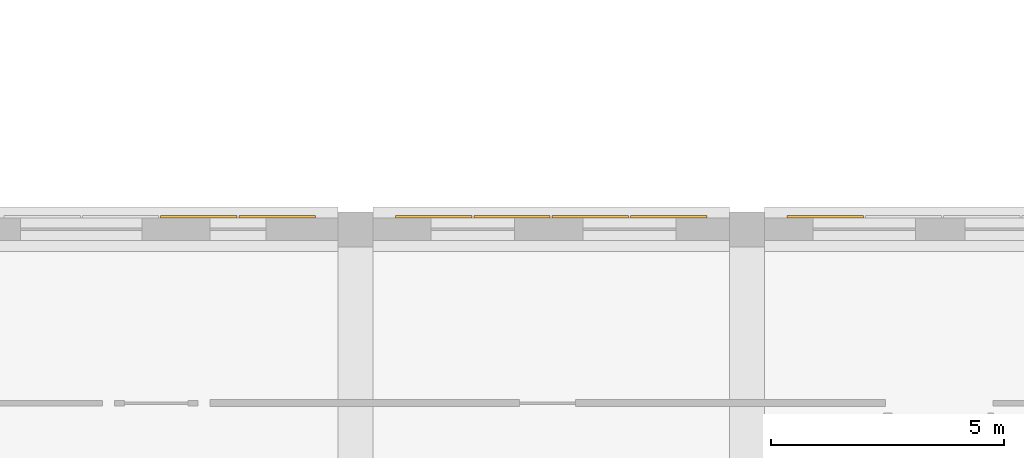
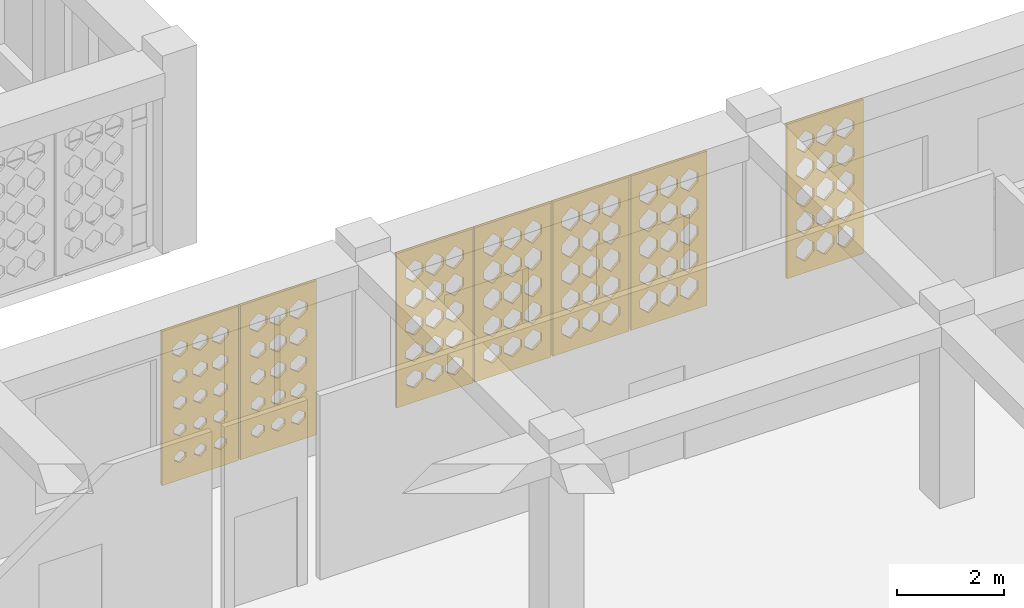
# One storey, part 98 of 121: 7 coverings.
"""IFC4 building model written with IfcOpenShell, lengths in metres."""

import ifcopenshell
import ifcopenshell.guid

model = None  # the IFC model being written
_history = None  # IfcOwnerHistory: only IFC2X3 demands one
_inside = {}  # id of a spatial element -> (the spatial element, [elements in it])
_under = {}  # id of a project, library or spatial element -> (it, [spatial elements below it])
_declared = {}  # id of a project -> (the project, [libraries it declares])
_typed = {}  # id of a type object -> (the type object, [elements of that type])
_made_of = {}  # id of a material, layer set ... -> (it, [elements and type objects made of it])


def new_model(schema):
    """Start an empty IFC model of exactly this schema.

    Asked for "IFC4X3", IfcOpenShell would pick the latest addendum, in which some entities
    have other attributes; the version numbers below select the first issue.
    IFC2X3 requires an IfcOwnerHistory on every rooted entity: one is made here for all.
    """
    global model, _history
    if schema == "IFC4X3":
        model = ifcopenshell.file(schema_version=(4, 3, 0, 0))
    else:
        model = ifcopenshell.file(schema=schema)
    _inside.clear()
    _under.clear()
    _declared.clear()
    _typed.clear()
    _made_of.clear()
    _history = None
    if model.schema == "IFC2X3":
        org = make("IfcOrganization", Name="unknown")
        user = make(
            "IfcPersonAndOrganization",
            ThePerson=make("IfcPerson", FamilyName="unknown"),
            TheOrganization=org,
        )
        app = make(
            "IfcApplication",
            ApplicationDeveloper=org,
            Version="unknown",
            ApplicationFullName="unknown",
            ApplicationIdentifier="unknown",
        )
        _history = make(
            "IfcOwnerHistory",
            OwningUser=user,
            OwningApplication=app,
            ChangeAction="ADDED",
            CreationDate=0,
        )
    return model


def make(cls, **values):
    """One entity of the class cls with the attributes given. An attribute that is None is left unset."""
    return model.create_entity(
        cls, **{name: value for name, value in values.items() if value is not None}
    )


def rooted(cls, **values):
    """An entity with a GlobalId (a new one), such as an element, a storey or a relation."""
    return make(cls, GlobalId=ifcopenshell.guid.new(), OwnerHistory=_history, **values)


def si_unit(unit_type, name, prefix=None):
    """IfcSIUnit, for example si_unit("LENGTHUNIT", "METRE", prefix="MILLI")."""
    return make("IfcSIUnit", UnitType=unit_type, Prefix=prefix, Name=name)


def derived_unit(unit_type, elements):
    """IfcDerivedUnit: a product of units, each with its exponent."""
    return make(
        "IfcDerivedUnit",
        Elements=[
            make("IfcDerivedUnitElement", Unit=unit, Exponent=power)
            for unit, power in elements
        ],
        UnitType=unit_type,
    )


def assignment(units):
    """IfcUnitAssignment: the units of a project."""
    return None if units is None else make("IfcUnitAssignment", Units=units)


def point(xyz):
    """IfcCartesianPoint."""
    return None if xyz is None else make("IfcCartesianPoint", Coordinates=xyz)


def direction(xyz):
    """IfcDirection."""
    return None if xyz is None else make("IfcDirection", DirectionRatios=xyz)


def frame(location, z_axis=None, x_axis=None):
    """IfcAxis2Placement3D, a coordinate frame: its origin and axes. An axis left out is left unset."""
    return make(
        "IfcAxis2Placement3D",
        Location=point(location),
        Axis=direction(z_axis),
        RefDirection=direction(x_axis),
    )


def origin():
    """The frame at (0, 0, 0) with its axes left unset."""
    return frame((0.0, 0.0, 0.0))


def place(relative_to, where):
    """IfcLocalPlacement: puts the frame where relative to a parent placement (None: the world)."""
    return make(
        "IfcLocalPlacement", PlacementRelTo=relative_to, RelativePlacement=where
    )


def context(
    kind, dimensions, precision=None, world=None, true_north=None, identifier=None
):
    """IfcGeometricRepresentationContext, for example the 3D "Model" context."""
    return make(
        "IfcGeometricRepresentationContext",
        ContextIdentifier=identifier,
        ContextType=kind,
        CoordinateSpaceDimension=dimensions,
        Precision=precision,
        WorldCoordinateSystem=world,
        TrueNorth=true_north,
    )


def subcontext(parent, identifier, kind, view, scale=None):
    """IfcGeometricRepresentationSubContext, for example "Body" below "Model"."""
    return make(
        "IfcGeometricRepresentationSubContext",
        ContextIdentifier=identifier,
        ContextType=kind,
        ParentContext=parent,
        TargetScale=scale,
        TargetView=view,
    )


def project(units=None, contexts=None):
    """IfcProject with its units and contexts."""
    return rooted(
        "IfcProject",
        Name="project",
        RepresentationContexts=contexts,
        UnitsInContext=assignment(units),
    )


def spatial(cls, under=None, at=None, **own):
    """A site, building, storey or space (cls), placed at a placement, below another one or the project."""
    s = rooted(cls, ObjectPlacement=at, **own)
    if under is not None:
        _under.setdefault(under.id(), (under, []))[1].append(s)
    return s


def polyline(points):
    """IfcPolyline through the points."""
    return make("IfcPolyline", Points=[point(p) for p in points])


def outline(outer, holes=None, kind="AREA"):
    """IfcArbitraryClosedProfileDef: a profile drawn as a closed curve; with holes, ...WithVoids."""
    if holes is None:
        return make("IfcArbitraryClosedProfileDef", ProfileType=kind, OuterCurve=outer)
    return make(
        "IfcArbitraryProfileDefWithVoids",
        ProfileType=kind,
        OuterCurve=outer,
        InnerCurves=holes,
    )


def extrude(swept, where, along, depth):
    """IfcExtrudedAreaSolid: the profile swept, set in the frame where, extruded along a direction by depth."""
    return make(
        "IfcExtrudedAreaSolid",
        SweptArea=swept,
        Position=where,
        ExtrudedDirection=direction(along),
        Depth=depth,
    )


def shape(context_of_items, identifier, shape_type, items):
    """IfcShapeRepresentation: the items that make up one representation, for example the "Body"."""
    return make(
        "IfcShapeRepresentation",
        ContextOfItems=context_of_items,
        RepresentationIdentifier=identifier,
        RepresentationType=shape_type,
        Items=items,
    )


def material(Name=None, Category=None):
    """IfcMaterial."""
    return make("IfcMaterial", Name=Name, Category=Category)


def layer(
    of_material, thickness, ventilated=None, Name=None, Category=None, Priority=None
):
    """IfcMaterialLayer: one layer of a wall or slab, of a material (None: an air gap)."""
    return make(
        "IfcMaterialLayer",
        Material=of_material,
        LayerThickness=thickness,
        IsVentilated=ventilated,
        Name=Name,
        Category=Category,
        Priority=Priority,
    )


def layer_set(layers, Name=None):
    """IfcMaterialLayerSet."""
    return make("IfcMaterialLayerSet", MaterialLayers=layers, LayerSetName=Name)


def made_of(thing, what):
    """Note that an element or type object is made of a material, layer set ...; save() writes the relation."""
    if what is not None:
        _made_of.setdefault(what.id(), (what, []))[1].append(thing)
    return thing


def type_object(cls, material=None, **own):
    """A type object (cls), such as IfcWallType, which elements share."""
    return made_of(rooted(cls, **own), material)


def element(
    cls,
    number,
    at=None,
    inside=None,
    cuts=None,
    type_object=None,
    material=None,
    context=None,
    identifier="Body",
    shape_type=None,
    held_by="IfcProductDefinitionShape",
    body=None,
    shapes=None,
    **own,
):
    """One element of the class cls, such as IfcWall. Its Tag is "e" and its number.

    at: its placement. inside: the storey or other place that contains it. cuts: it is an
    opening in that element (IfcRelVoidsElement). A single representation is given by context,
    identifier, shape_type and body (its items); several are given by shapes. held_by: the class
    of the entity that holds the representations. save() writes the other relations.
    """
    e = rooted(cls, Tag="e%d" % number, ObjectPlacement=at, **own)
    if body is not None:
        shapes = [shape(context, identifier, shape_type, body)]
    if shapes is not None:
        e.Representation = make(held_by, Representations=shapes)
    if inside is not None:
        _inside.setdefault(inside.id(), (inside, []))[1].append(e)
    if cuts is not None:
        rooted(
            "IfcRelVoidsElement", RelatingBuildingElement=cuts, RelatedOpeningElement=e
        )
    if type_object is not None:
        _typed.setdefault(type_object.id(), (type_object, []))[1].append(e)
    return made_of(e, material)


def aggregate(whole, parts):
    """IfcRelAggregates: a whole, such as a stair, and the parts it consists of."""
    return rooted("IfcRelAggregates", RelatingObject=whole, RelatedObjects=parts)


def save(model, path):
    """Write the relations noted so far, then the file.

    IfcRelAggregates (storeys below a building ...), IfcRelContainedInSpatialStructure (elements
    in a storey), IfcRelDefinesByType, IfcRelAssociatesMaterial and IfcRelDeclares: one each for
    every whole, place, type object, material and project.
    """
    for whole, parts in _under.values():
        aggregate(whole, parts)
    for where, things in _inside.values():
        rooted(
            "IfcRelContainedInSpatialStructure",
            RelatedElements=things,
            RelatingStructure=where,
        )
    for kind, things in _typed.values():
        rooted("IfcRelDefinesByType", RelatedObjects=things, RelatingType=kind)
    for what, things in _made_of.values():
        rooted("IfcRelAssociatesMaterial", RelatedObjects=things, RelatingMaterial=what)
    for by, libraries in _declared.values():
        rooted("IfcRelDeclares", RelatingContext=by, RelatedDefinitions=libraries)
    model.write(path)


model = new_model("IFC4")

# Units and contexts
model_context = context("Model", 3, precision=1e-05, world=origin(), true_north=direction((0.0, 1.0)))
body_context = subcontext(model_context, "Body", "Model", "MODEL_VIEW")
ifc_project = project(units=[si_unit("LENGTHUNIT", "METRE"), si_unit("AREAUNIT", "SQUARE_METRE"), si_unit("VOLUMEUNIT", "CUBIC_METRE"), si_unit("PLANEANGLEUNIT", "RADIAN"), si_unit("MASSUNIT", "GRAM", prefix="KILO"), derived_unit("THERMALTRANSMITTANCEUNIT", [(si_unit("POWERUNIT", "WATT"), 1), (si_unit("LENGTHUNIT", "METRE"), -2), (si_unit("THERMODYNAMICTEMPERATUREUNIT", "KELVIN"), -1)])], contexts=[model_context])

# Site, building, storey
site_placement = place(None, origin())
site = spatial("IfcSite", under=ifc_project, at=site_placement, CompositionType="ELEMENT")
building_placement = place(site_placement, origin())
building = spatial("IfcBuilding", under=site, at=building_placement, Name="Veybourne Emporium", CompositionType="ELEMENT")
storey_placement = place(building_placement, frame((0.0, 0.0, 5.39990234375)))
storey = spatial("IfcBuildingStorey", under=building, at=storey_placement, Name="L01", CompositionType="ELEMENT", Elevation=5.39990234375)

# Coverings
ifc_material = material(Name="Warm-White Perforated Aluminium Screen Alloy", Category="aluminium")
ifc_layer_1 = layer(ifc_material, 0.06005859375)
ifc_layer_set_1 = layer_set([ifc_layer_1], Name="Warm-White Perforated Aluminium Screen Alloy")
covering_type_1 = type_object("IfcCoveringType", Name="WaveScreen_SCR-01", PredefinedType="CLADDING", material=ifc_layer_set_1)
covering_1_placement = place(storey_placement, frame((99.1201171875, 29.09814453125, 1.815185546875), z_axis=(0.0, -1.0, 0.0), x_axis=(1.0, 0.0, 0.0)))
element("IfcCovering", 1, at=covering_1_placement, inside=storey, type_object=covering_type_1, Name="L01 wave-perforated aluminium screen SCR-01 (47.4)", PredefinedType="CLADDING", context=body_context, shape_type="SweptSolid", body=[
    extrude(outline(polyline([(-0.81982421875, -1.7548828125), (0.81982421875, -1.7548828125), (0.81982421875, 1.7548828125), (-0.81982421875, 1.7548828125), (-0.81982421875, -1.7548828125)]), holes=[polyline([(-0.433349609375, -1.072265625), (-0.2958984375, -1.171875), (-0.2958984375, -1.2841796875), (-0.433349609375, -1.3837890625), (-0.57080078125, -1.2841796875), (-0.57080078125, -1.171875), (-0.433349609375, -1.072265625)]), polyline([(-0.433349609375, -0.445068359375), (-0.284912109375, -0.55322265625), (-0.284912109375, -0.6748046875), (-0.433349609375, -0.782958984375), (-0.58154296875, -0.6748046875), (-0.58154296875, -0.55322265625), (-0.433349609375, -0.445068359375)]), polyline([(-0.433349609375, 0.182861328125), (-0.273681640625, 0.06591796875), (-0.273681640625, -0.06591796875), (-0.433349609375, -0.182861328125), (-0.593017578125, -0.06591796875), (-0.593017578125, 0.06591796875), (-0.433349609375, 0.182861328125)]), polyline([(-0.433349609375, 0.81103515625), (-0.26220703125, 0.684814453125), (-0.26220703125, 0.543212890625), (-0.433349609375, 0.4169921875), (-0.6044921875, 0.543212890625), (-0.6044921875, 0.684814453125), (-0.433349609375, 0.81103515625)]), polyline([(-0.433349609375, 1.439208984375), (-0.25048828125, 1.303955078125), (-0.25048828125, 1.152099609375), (-0.433349609375, 1.016845703125), (-0.615966796875, 1.152099609375), (-0.615966796875, 1.303955078125), (-0.433349609375, 1.439208984375)]), polyline([(0.0, -1.06640625), (0.142333984375, -1.169921875), (0.142333984375, -1.2861328125), (0.0, -1.3896484375), (-0.142333984375, -1.2861328125), (-0.142333984375, -1.169921875), (0.0, -1.06640625)]), polyline([(0.0, -0.438720703125), (0.1533203125, -0.55078125), (0.1533203125, -0.677001953125), (0.0, -0.789306640625), (-0.1533203125, -0.677001953125), (-0.1533203125, -0.55078125), (0.0, -0.438720703125)]), polyline([(0.0, 0.189208984375), (0.164794921875, 0.068115234375), (0.164794921875, -0.068115234375), (0.0, -0.189208984375), (-0.164794921875, -0.068115234375), (-0.164794921875, 0.068115234375), (0.0, 0.189208984375)]), polyline([(0.0, 0.8173828125), (0.176513671875, 0.687255859375), (0.176513671875, 0.540771484375), (0.0, 0.410400390625), (-0.176513671875, 0.540771484375), (-0.176513671875, 0.687255859375), (0.0, 0.8173828125)]), polyline([(0.0, 1.4453125), (0.186279296875, 1.30615234375), (0.186279296875, 1.14990234375), (0.0, 1.0107421875), (-0.186279296875, 1.14990234375), (-0.186279296875, 1.30615234375), (0.0, 1.4453125)]), polyline([(0.433349609375, -1.060302734375), (0.58056640625, -1.16748046875), (0.58056640625, -1.288330078125), (0.433349609375, -1.395751953125), (0.2861328125, -1.288330078125), (0.2861328125, -1.16748046875), (0.433349609375, -1.060302734375)]), polyline([(0.433349609375, -0.432373046875), (0.591796875, -0.548583984375), (0.591796875, -0.679443359375), (0.433349609375, -0.795654296875), (0.27490234375, -0.679443359375), (0.27490234375, -0.548583984375), (0.433349609375, -0.432373046875)]), polyline([(0.433349609375, 0.19580078125), (0.603515625, 0.070556640625), (0.603515625, -0.070556640625), (0.433349609375, -0.19580078125), (0.26318359375, -0.070556640625), (0.26318359375, 0.070556640625), (0.433349609375, 0.19580078125)]), polyline([(0.433349609375, 0.82373046875), (0.614990234375, 0.689453125), (0.614990234375, 0.53857421875), (0.433349609375, 0.404296875), (0.251708984375, 0.53857421875), (0.251708984375, 0.689453125), (0.433349609375, 0.82373046875)]), polyline([(0.433349609375, 1.451416015625), (0.61962890625, 1.308349609375), (0.61962890625, 1.147705078125), (0.433349609375, 1.004638671875), (0.2470703125, 1.147705078125), (0.2470703125, 1.308349609375), (0.433349609375, 1.451416015625)])]), origin(), (0.0, 0.0, 1.0), 0.06005859375),
])
covering_2_placement = place(storey_placement, frame((102.47998046875, 29.09814453125, 1.815185546875), z_axis=(0.0, -1.0, 0.0), x_axis=(1.0, 0.0, 0.0)))
element("IfcCovering", 2, at=covering_2_placement, inside=storey, type_object=covering_type_1, Name="L01 wave-perforated aluminium screen SCR-01 (62.1)", PredefinedType="CLADDING", context=body_context, shape_type="SweptSolid", body=[
    extrude(outline(polyline([(-0.81982421875, -1.7548828125), (0.81982421875, -1.7548828125), (0.81982421875, 1.7548828125), (-0.81982421875, 1.7548828125), (-0.81982421875, -1.7548828125)]), holes=[polyline([(-0.433349609375, -1.023681640625), (-0.256103515625, -1.154296875), (-0.256103515625, -1.301513671875), (-0.433349609375, -1.432373046875), (-0.610595703125, -1.301513671875), (-0.610595703125, -1.154296875), (-0.433349609375, -1.023681640625)]), polyline([(-0.433349609375, -0.395751953125), (-0.2470703125, -0.535400390625), (-0.2470703125, -0.6923828125), (-0.433349609375, -0.832275390625), (-0.61962890625, -0.6923828125), (-0.61962890625, -0.535400390625), (-0.433349609375, -0.395751953125)]), polyline([(-0.433349609375, 0.231201171875), (-0.2470703125, 0.083251953125), (-0.2470703125, -0.083251953125), (-0.433349609375, -0.231201171875), (-0.61962890625, -0.083251953125), (-0.61962890625, 0.083251953125), (-0.433349609375, 0.231201171875)]), polyline([(-0.433349609375, 0.857177734375), (-0.2470703125, 0.701416015625), (-0.2470703125, 0.526611328125), (-0.433349609375, 0.370849609375), (-0.61962890625, 0.526611328125), (-0.61962890625, 0.701416015625), (-0.433349609375, 0.857177734375)]), polyline([(-0.433349609375, 1.4814453125), (-0.2470703125, 1.3193359375), (-0.2470703125, 1.13671875), (-0.433349609375, 0.974609375), (-0.61962890625, 1.13671875), (-0.61962890625, 1.3193359375), (-0.433349609375, 1.4814453125)]), polyline([(0.0, -1.017333984375), (0.182373046875, -1.152099609375), (0.182373046875, -1.3037109375), (0.0, -1.438720703125), (-0.182373046875, -1.3037109375), (-0.182373046875, -1.152099609375), (0.0, -1.017333984375)]), polyline([(0.0, -0.389892578125), (0.186279296875, -0.533203125), (0.186279296875, -0.694580078125), (0.0, -0.838134765625), (-0.186279296875, -0.694580078125), (-0.186279296875, -0.533203125), (0.0, -0.389892578125)]), polyline([(0.0, 0.23681640625), (0.186279296875, 0.085205078125), (0.186279296875, -0.085205078125), (0.0, -0.23681640625), (-0.186279296875, -0.085205078125), (-0.186279296875, 0.085205078125), (0.0, 0.23681640625)]), polyline([(0.0, 0.862060546875), (0.186279296875, 0.703369140625), (0.186279296875, 0.524658203125), (0.0, 0.365966796875), (-0.186279296875, 0.524658203125), (-0.186279296875, 0.703369140625), (0.0, 0.862060546875)]), polyline([(0.0, 1.485595703125), (0.186279296875, 1.32080078125), (0.186279296875, 1.13525390625), (0.0, 0.970458984375), (-0.186279296875, 1.13525390625), (-0.186279296875, 1.32080078125), (0.0, 1.485595703125)]), polyline([(0.433349609375, -1.010986328125), (0.61962890625, -1.14990234375), (0.61962890625, -1.30615234375), (0.433349609375, -1.44482421875), (0.2470703125, -1.30615234375), (0.2470703125, -1.14990234375), (0.433349609375, -1.010986328125)]), polyline([(0.433349609375, -0.384033203125), (0.61962890625, -0.53125), (0.61962890625, -0.69677734375), (0.433349609375, -0.843994140625), (0.2470703125, -0.69677734375), (0.2470703125, -0.53125), (0.433349609375, -0.384033203125)]), polyline([(0.433349609375, 0.241943359375), (0.61962890625, 0.087158203125), (0.61962890625, -0.087158203125), (0.433349609375, -0.241943359375), (0.2470703125, -0.087158203125), (0.2470703125, 0.087158203125), (0.433349609375, 0.241943359375)]), polyline([(0.433349609375, 0.86669921875), (0.61962890625, 0.704833984375), (0.61962890625, 0.523193359375), (0.433349609375, 0.361328125), (0.2470703125, 0.523193359375), (0.2470703125, 0.704833984375), (0.433349609375, 0.86669921875)]), polyline([(0.433349609375, 1.489501953125), (0.61962890625, 1.322021484375), (0.61962890625, 1.1337890625), (0.433349609375, 0.966552734375), (0.2470703125, 1.1337890625), (0.2470703125, 1.322021484375), (0.433349609375, 1.489501953125)])]), origin(), (0.0, 0.0, 1.0), 0.06005859375),
])
ifc_layer_2 = layer(ifc_material, 0.06005859375)
ifc_layer_set_2 = layer_set([ifc_layer_2], Name="Warm-White Perforated Aluminium Screen Alloy")
covering_type_2 = type_object("IfcCoveringType", Name="WaveScreen_SCR-02", PredefinedType="CLADDING", material=ifc_layer_set_2)
covering_3_placement = place(storey_placement, frame((104.159912109375, 29.09814453125, 1.815185546875), z_axis=(0.0, -1.0, 0.0), x_axis=(1.0, 0.0, 0.0)))
element("IfcCovering", 3, at=covering_3_placement, inside=storey, type_object=covering_type_2, Name="L01 wave-perforated aluminium screen SCR-02 (62.2)", PredefinedType="CLADDING", context=body_context, shape_type="SweptSolid", body=[
    extrude(outline(polyline([(-0.81982421875, -1.7548828125), (0.81982421875, -1.7548828125), (0.81982421875, 1.7548828125), (-0.81982421875, 1.7548828125), (-0.81982421875, -1.7548828125)]), holes=[polyline([(-0.433349609375, -1.0), (-0.2470703125, -1.14599609375), (-0.2470703125, -1.31005859375), (-0.433349609375, -1.4560546875), (-0.61962890625, -1.31005859375), (-0.61962890625, -1.14599609375), (-0.433349609375, -1.0)]), polyline([(-0.433349609375, -0.373779296875), (-0.2470703125, -0.527587890625), (-0.2470703125, -0.700439453125), (-0.433349609375, -0.854248046875), (-0.61962890625, -0.700439453125), (-0.61962890625, -0.527587890625), (-0.433349609375, -0.373779296875)]), polyline([(-0.433349609375, 0.251220703125), (-0.2470703125, 0.09033203125), (-0.2470703125, -0.09033203125), (-0.433349609375, -0.251220703125), (-0.61962890625, -0.09033203125), (-0.61962890625, 0.09033203125), (-0.433349609375, 0.251220703125)]), polyline([(-0.433349609375, 0.874267578125), (-0.2470703125, 0.707763671875), (-0.2470703125, 0.520263671875), (-0.433349609375, 0.353759765625), (-0.61962890625, 0.520263671875), (-0.61962890625, 0.707763671875), (-0.433349609375, 0.874267578125)]), polyline([(-0.433349609375, 1.491943359375), (-0.2470703125, 1.322998046875), (-0.2470703125, 1.133056640625), (-0.433349609375, 0.964111328125), (-0.61962890625, 1.133056640625), (-0.61962890625, 1.322998046875), (-0.433349609375, 1.491943359375)]), polyline([(0.0, -0.994140625), (0.186279296875, -1.143798828125), (0.186279296875, -1.312255859375), (0.0, -1.4619140625), (-0.186279296875, -1.312255859375), (-0.186279296875, -1.143798828125), (0.0, -0.994140625)]), polyline([(0.0, -0.36865234375), (0.186279296875, -0.525634765625), (0.186279296875, -0.702392578125), (0.0, -0.859375), (-0.186279296875, -0.702392578125), (-0.186279296875, -0.525634765625), (0.0, -0.36865234375)]), polyline([(0.0, 0.255615234375), (0.186279296875, 0.092041015625), (0.186279296875, -0.092041015625), (0.0, -0.255615234375), (-0.186279296875, -0.092041015625), (-0.186279296875, 0.092041015625), (0.0, 0.255615234375)]), polyline([(0.0, 0.877685546875), (0.186279296875, 0.708984375), (0.186279296875, 0.51904296875), (0.0, 0.350341796875), (-0.186279296875, 0.51904296875), (-0.186279296875, 0.708984375), (0.0, 0.877685546875)]), polyline([(0.0, 1.491943359375), (0.186279296875, 1.322998046875), (0.186279296875, 1.133056640625), (0.0, 0.964111328125), (-0.186279296875, 1.133056640625), (-0.186279296875, 1.322998046875), (0.0, 1.491943359375)]), polyline([(0.433349609375, -0.98876953125), (0.61962890625, -1.141845703125), (0.61962890625, -1.314208984375), (0.433349609375, -1.46728515625), (0.2470703125, -1.314208984375), (0.2470703125, -1.141845703125), (0.433349609375, -0.98876953125)]), polyline([(0.433349609375, -0.36376953125), (0.61962890625, -0.52392578125), (0.61962890625, -0.7041015625), (0.433349609375, -0.8642578125), (0.2470703125, -0.7041015625), (0.2470703125, -0.52392578125), (0.433349609375, -0.36376953125)]), polyline([(0.433349609375, 0.259521484375), (0.61962890625, 0.093505859375), (0.61962890625, -0.093505859375), (0.433349609375, -0.259521484375), (0.2470703125, -0.093505859375), (0.2470703125, 0.093505859375), (0.433349609375, 0.259521484375)]), polyline([(0.433349609375, 0.8779296875), (0.61962890625, 0.708984375), (0.61962890625, 0.51904296875), (0.433349609375, 0.35009765625), (0.2470703125, 0.51904296875), (0.2470703125, 0.708984375), (0.433349609375, 0.8779296875)]), polyline([(0.433349609375, 1.491943359375), (0.61962890625, 1.322998046875), (0.61962890625, 1.133056640625), (0.433349609375, 0.964111328125), (0.2470703125, 1.133056640625), (0.2470703125, 1.322998046875), (0.433349609375, 1.491943359375)])]), origin(), (0.0, 0.0, 1.0), 0.06005859375),
])
ifc_layer_3 = layer(ifc_material, 0.06005859375)
ifc_layer_set_3 = layer_set([ifc_layer_3], Name="Warm-White Perforated Aluminium Screen Alloy")
covering_type_3 = type_object("IfcCoveringType", Name="WaveScreen_SCR-03", PredefinedType="CLADDING", material=ifc_layer_set_3)
covering_4_placement = place(storey_placement, frame((105.840087890625, 29.09814453125, 1.815185546875), z_axis=(0.0, -1.0, 0.0), x_axis=(1.0, 0.0, 0.0)))
element("IfcCovering", 4, at=covering_4_placement, inside=storey, type_object=covering_type_3, Name="L01 wave-perforated aluminium screen SCR-03 (62.3)", PredefinedType="CLADDING", context=body_context, shape_type="SweptSolid", body=[
    extrude(outline(polyline([(-0.81982421875, -1.7548828125), (0.81982421875, -1.7548828125), (0.81982421875, 1.7548828125), (-0.81982421875, 1.7548828125), (-0.81982421875, -1.7548828125)]), holes=[polyline([(-0.433349609375, -0.979248046875), (-0.2470703125, -1.138427734375), (-0.2470703125, -1.3173828125), (-0.433349609375, -1.476806640625), (-0.61962890625, -1.3173828125), (-0.61962890625, -1.138427734375), (-0.433349609375, -0.979248046875)]), polyline([(-0.433349609375, -0.355712890625), (-0.2470703125, -0.52099609375), (-0.2470703125, -0.706787109375), (-0.433349609375, -0.872314453125), (-0.61962890625, -0.706787109375), (-0.61962890625, -0.52099609375), (-0.433349609375, -0.355712890625)]), polyline([(-0.433349609375, 0.263916015625), (-0.2470703125, 0.094970703125), (-0.2470703125, -0.094970703125), (-0.433349609375, -0.263916015625), (-0.61962890625, -0.094970703125), (-0.61962890625, 0.094970703125), (-0.433349609375, 0.263916015625)]), polyline([(-0.433349609375, 0.8779296875), (-0.2470703125, 0.708984375), (-0.2470703125, 0.51904296875), (-0.433349609375, 0.35009765625), (-0.61962890625, 0.51904296875), (-0.61962890625, 0.708984375), (-0.433349609375, 0.8779296875)]), polyline([(-0.433349609375, 1.491943359375), (-0.2470703125, 1.322998046875), (-0.2470703125, 1.133056640625), (-0.433349609375, 0.964111328125), (-0.61962890625, 1.133056640625), (-0.61962890625, 1.322998046875), (-0.433349609375, 1.491943359375)]), polyline([(0.0, -0.974853515625), (0.186279296875, -1.13671875), (0.186279296875, -1.319091796875), (0.0, -1.481201171875), (-0.186279296875, -1.319091796875), (-0.186279296875, -1.13671875), (0.0, -0.974853515625)]), polyline([(0.0, -0.35205078125), (0.186279296875, -0.519775390625), (0.186279296875, -0.708251953125), (0.0, -0.8759765625), (-0.186279296875, -0.708251953125), (-0.186279296875, -0.519775390625), (0.0, -0.35205078125)]), polyline([(0.0, 0.263916015625), (0.186279296875, 0.094970703125), (0.186279296875, -0.094970703125), (0.0, -0.263916015625), (-0.186279296875, -0.094970703125), (-0.186279296875, 0.094970703125), (0.0, 0.263916015625)]), polyline([(0.0, 0.8779296875), (0.186279296875, 0.708984375), (0.186279296875, 0.51904296875), (0.0, 0.35009765625), (-0.186279296875, 0.51904296875), (-0.186279296875, 0.708984375), (0.0, 0.8779296875)]), polyline([(0.0, 1.491943359375), (0.186279296875, 1.322998046875), (0.186279296875, 1.133056640625), (0.0, 0.964111328125), (-0.186279296875, 1.133056640625), (-0.186279296875, 1.322998046875), (0.0, 1.491943359375)]), polyline([(0.433349609375, -0.970703125), (0.61962890625, -1.13525390625), (0.61962890625, -1.32080078125), (0.433349609375, -1.4853515625), (0.2470703125, -1.32080078125), (0.2470703125, -1.13525390625), (0.433349609375, -0.970703125)]), polyline([(0.433349609375, -0.35009765625), (0.61962890625, -0.51904296875), (0.61962890625, -0.708984375), (0.433349609375, -0.8779296875), (0.2470703125, -0.708984375), (0.2470703125, -0.51904296875), (0.433349609375, -0.35009765625)]), polyline([(0.433349609375, 0.263916015625), (0.61962890625, 0.094970703125), (0.61962890625, -0.094970703125), (0.433349609375, -0.263916015625), (0.2470703125, -0.094970703125), (0.2470703125, 0.094970703125), (0.433349609375, 0.263916015625)]), polyline([(0.433349609375, 0.8779296875), (0.61962890625, 0.708984375), (0.61962890625, 0.51904296875), (0.433349609375, 0.35009765625), (0.2470703125, 0.51904296875), (0.2470703125, 0.708984375), (0.433349609375, 0.8779296875)]), polyline([(0.433349609375, 1.491943359375), (0.61962890625, 1.322998046875), (0.61962890625, 1.133056640625), (0.433349609375, 0.964111328125), (0.2470703125, 1.133056640625), (0.2470703125, 1.322998046875), (0.433349609375, 1.491943359375)])]), origin(), (0.0, 0.0, 1.0), 0.06005859375),
])
covering_5_placement = place(storey_placement, frame((110.8798828125, 29.09814453125, 1.815185546875), z_axis=(0.0, -1.0, 0.0), x_axis=(1.0, 0.0, 0.0)))
element("IfcCovering", 5, at=covering_5_placement, inside=storey, type_object=covering_type_3, Name="L01 wave-perforated aluminium screen SCR-03 (64.1)", PredefinedType="CLADDING", context=body_context, shape_type="SweptSolid", body=[
    extrude(outline(polyline([(-0.81982421875, -1.7548828125), (0.81982421875, -1.7548828125), (0.81982421875, 1.7548828125), (-0.81982421875, 1.7548828125), (-0.81982421875, -1.7548828125)]), holes=[polyline([(-0.433349609375, -0.964111328125), (-0.2470703125, -1.133056640625), (-0.2470703125, -1.322998046875), (-0.433349609375, -1.491943359375), (-0.61962890625, -1.322998046875), (-0.61962890625, -1.133056640625), (-0.433349609375, -0.964111328125)]), polyline([(-0.433349609375, -0.35009765625), (-0.2470703125, -0.51904296875), (-0.2470703125, -0.708984375), (-0.433349609375, -0.8779296875), (-0.61962890625, -0.708984375), (-0.61962890625, -0.51904296875), (-0.433349609375, -0.35009765625)]), polyline([(-0.433349609375, 0.263916015625), (-0.2470703125, 0.094970703125), (-0.2470703125, -0.094970703125), (-0.433349609375, -0.263916015625), (-0.61962890625, -0.094970703125), (-0.61962890625, 0.094970703125), (-0.433349609375, 0.263916015625)]), polyline([(-0.433349609375, 0.87451171875), (-0.2470703125, 0.707763671875), (-0.2470703125, 0.520263671875), (-0.433349609375, 0.353515625), (-0.61962890625, 0.520263671875), (-0.61962890625, 0.707763671875), (-0.433349609375, 0.87451171875)]), polyline([(-0.433349609375, 1.4794921875), (-0.2470703125, 1.318603515625), (-0.2470703125, 1.137451171875), (-0.433349609375, 0.9765625), (-0.61962890625, 1.137451171875), (-0.61962890625, 1.318603515625), (-0.433349609375, 1.4794921875)]), polyline([(0.0, -0.964111328125), (0.186279296875, -1.133056640625), (0.186279296875, -1.322998046875), (0.0, -1.491943359375), (-0.186279296875, -1.322998046875), (-0.186279296875, -1.133056640625), (0.0, -0.964111328125)]), polyline([(0.0, -0.35009765625), (0.186279296875, -0.51904296875), (0.186279296875, -0.708984375), (0.0, -0.8779296875), (-0.186279296875, -0.708984375), (-0.186279296875, -0.51904296875), (0.0, -0.35009765625)]), polyline([(0.0, 0.263916015625), (0.186279296875, 0.094970703125), (0.186279296875, -0.094970703125), (0.0, -0.263916015625), (-0.186279296875, -0.094970703125), (-0.186279296875, 0.094970703125), (0.0, 0.263916015625)]), polyline([(0.0, 0.87060546875), (0.186279296875, 0.706298828125), (0.186279296875, 0.521484375), (0.0, 0.357421875), (-0.186279296875, 0.521484375), (-0.186279296875, 0.706298828125), (0.0, 0.87060546875)]), polyline([(0.0, 1.474853515625), (0.186279296875, 1.31689453125), (0.186279296875, 1.13916015625), (0.0, 0.981201171875), (-0.186279296875, 1.13916015625), (-0.186279296875, 1.31689453125), (0.0, 1.474853515625)]), polyline([(0.433349609375, -0.964111328125), (0.61962890625, -1.133056640625), (0.61962890625, -1.322998046875), (0.433349609375, -1.491943359375), (0.2470703125, -1.322998046875), (0.2470703125, -1.133056640625), (0.433349609375, -0.964111328125)]), polyline([(0.433349609375, -0.35009765625), (0.61962890625, -0.51904296875), (0.61962890625, -0.708984375), (0.433349609375, -0.8779296875), (0.2470703125, -0.708984375), (0.2470703125, -0.51904296875), (0.433349609375, -0.35009765625)]), polyline([(0.433349609375, 0.26123046875), (0.61962890625, 0.093994140625), (0.61962890625, -0.093994140625), (0.433349609375, -0.26123046875), (0.2470703125, -0.093994140625), (0.2470703125, 0.093994140625), (0.433349609375, 0.26123046875)]), polyline([(0.433349609375, 0.866455078125), (0.61962890625, 0.704833984375), (0.61962890625, 0.523193359375), (0.433349609375, 0.361572265625), (0.2470703125, 0.523193359375), (0.2470703125, 0.704833984375), (0.433349609375, 0.866455078125)]), polyline([(0.433349609375, 1.469970703125), (0.61962890625, 1.315185546875), (0.61962890625, 1.140869140625), (0.433349609375, 0.986083984375), (0.2470703125, 1.140869140625), (0.2470703125, 1.315185546875), (0.433349609375, 1.469970703125)])]), origin(), (0.0, 0.0, 1.0), 0.06005859375),
])
ifc_layer_4 = layer(ifc_material, 0.06005859375)
ifc_layer_set_4 = layer_set([ifc_layer_4], Name="Warm-White Perforated Aluminium Screen Alloy")
covering_type_4 = type_object("IfcCoveringType", Name="WaveScreen_SCR-04", PredefinedType="CLADDING", material=ifc_layer_set_4)
covering_6_placement = place(storey_placement, frame((97.43994140625, 29.09814453125, 1.815185546875), z_axis=(0.0, -1.0, 0.0), x_axis=(1.0, 0.0, 0.0)))
element("IfcCovering", 6, at=covering_6_placement, inside=storey, type_object=covering_type_4, Name="L01 wave-perforated aluminium screen SCR-04 (47.3)", PredefinedType="CLADDING", context=body_context, shape_type="SweptSolid", body=[
    extrude(outline(polyline([(-0.81982421875, -1.7548828125), (0.81982421875, -1.7548828125), (0.81982421875, 1.7548828125), (-0.81982421875, 1.7548828125), (-0.81982421875, -1.7548828125)]), holes=[polyline([(-0.433349609375, -1.092529296875), (-0.3125, -1.17919921875), (-0.3125, -1.27685546875), (-0.433349609375, -1.363525390625), (-0.55419921875, -1.27685546875), (-0.55419921875, -1.17919921875), (-0.433349609375, -1.092529296875)]), polyline([(-0.433349609375, -0.467529296875), (-0.303466796875, -0.561279296875), (-0.303466796875, -0.666748046875), (-0.433349609375, -0.760498046875), (-0.563232421875, -0.666748046875), (-0.563232421875, -0.561279296875), (-0.433349609375, -0.467529296875)]), polyline([(-0.433349609375, 0.158935546875), (-0.293212890625, 0.05712890625), (-0.293212890625, -0.05712890625), (-0.433349609375, -0.158935546875), (-0.573486328125, -0.05712890625), (-0.573486328125, 0.05712890625), (-0.433349609375, 0.158935546875)]), polyline([(-0.433349609375, 0.786376953125), (-0.2822265625, 0.676025390625), (-0.2822265625, 0.552001953125), (-0.433349609375, 0.441650390625), (-0.584228515625, 0.552001953125), (-0.584228515625, 0.676025390625), (-0.433349609375, 0.786376953125)]), polyline([(-0.433349609375, 1.414306640625), (-0.27099609375, 1.295166015625), (-0.27099609375, 1.160888671875), (-0.433349609375, 1.041748046875), (-0.595703125, 1.160888671875), (-0.595703125, 1.295166015625), (-0.433349609375, 1.414306640625)]), polyline([(0.0, -1.087646484375), (0.124755859375, -1.177490234375), (0.124755859375, -1.278564453125), (0.0, -1.368408203125), (-0.124755859375, -1.278564453125), (-0.124755859375, -1.177490234375), (0.0, -1.087646484375)]), polyline([(0.0, -0.4619140625), (0.134521484375, -0.559326171875), (0.134521484375, -0.668701171875), (0.0, -0.76611328125), (-0.134521484375, -0.668701171875), (-0.134521484375, -0.559326171875), (0.0, -0.4619140625)]), polyline([(0.0, 0.164794921875), (0.14501953125, 0.059326171875), (0.14501953125, -0.059326171875), (0.0, -0.164794921875), (-0.14501953125, -0.059326171875), (-0.14501953125, 0.059326171875), (0.0, 0.164794921875)]), polyline([(0.0, 0.79248046875), (0.156005859375, 0.67822265625), (0.156005859375, 0.5498046875), (0.0, 0.435302734375), (-0.156005859375, 0.5498046875), (-0.156005859375, 0.67822265625), (0.0, 0.79248046875)]), polyline([(0.0, 1.420654296875), (0.167724609375, 1.29736328125), (0.167724609375, 1.15869140625), (0.0, 1.035400390625), (-0.167724609375, 1.15869140625), (-0.167724609375, 1.29736328125), (0.0, 1.420654296875)]), polyline([(0.433349609375, -1.08251953125), (0.562255859375, -1.175537109375), (0.562255859375, -1.280517578125), (0.433349609375, -1.373291015625), (0.30419921875, -1.280517578125), (0.30419921875, -1.175537109375), (0.433349609375, -1.08251953125)]), polyline([(0.433349609375, -0.456298828125), (0.572509765625, -0.55712890625), (0.572509765625, -0.6708984375), (0.433349609375, -0.771728515625), (0.294189453125, -0.6708984375), (0.294189453125, -0.55712890625), (0.433349609375, -0.456298828125)]), polyline([(0.433349609375, 0.1708984375), (0.583251953125, 0.0615234375), (0.583251953125, -0.0615234375), (0.433349609375, -0.1708984375), (0.283447265625, -0.0615234375), (0.283447265625, 0.0615234375), (0.433349609375, 0.1708984375)]), polyline([(0.433349609375, 0.799072265625), (0.5947265625, 0.6806640625), (0.5947265625, 0.54736328125), (0.433349609375, 0.428955078125), (0.27197265625, 0.54736328125), (0.27197265625, 0.6806640625), (0.433349609375, 0.799072265625)]), polyline([(0.433349609375, 1.42724609375), (0.606201171875, 1.2998046875), (0.606201171875, 1.15625), (0.433349609375, 1.02880859375), (0.260498046875, 1.15625), (0.260498046875, 1.2998046875), (0.433349609375, 1.42724609375)])]), origin(), (0.0, 0.0, 1.0), 0.06005859375),
])
covering_7_placement = place(storey_placement, frame((107.52001953125, 29.09814453125, 1.815185546875), z_axis=(0.0, -1.0, 0.0), x_axis=(1.0, 0.0, 0.0)))
element("IfcCovering", 7, at=covering_7_placement, inside=storey, type_object=covering_type_4, Name="L01 wave-perforated aluminium screen SCR-04 (62.4)", PredefinedType="CLADDING", context=body_context, shape_type="SweptSolid", body=[
    extrude(outline(polyline([(-0.81982421875, -1.7548828125), (0.81982421875, -1.7548828125), (0.81982421875, 1.7548828125), (-0.81982421875, 1.7548828125), (-0.81982421875, -1.7548828125)]), holes=[polyline([(-0.433349609375, -0.964111328125), (-0.2470703125, -1.133056640625), (-0.2470703125, -1.322998046875), (-0.433349609375, -1.491943359375), (-0.61962890625, -1.322998046875), (-0.61962890625, -1.133056640625), (-0.433349609375, -0.964111328125)]), polyline([(-0.433349609375, -0.35009765625), (-0.2470703125, -0.51904296875), (-0.2470703125, -0.708984375), (-0.433349609375, -0.8779296875), (-0.61962890625, -0.708984375), (-0.61962890625, -0.51904296875), (-0.433349609375, -0.35009765625)]), polyline([(-0.433349609375, 0.263916015625), (-0.2470703125, 0.094970703125), (-0.2470703125, -0.094970703125), (-0.433349609375, -0.263916015625), (-0.61962890625, -0.094970703125), (-0.61962890625, 0.094970703125), (-0.433349609375, 0.263916015625)]), polyline([(-0.433349609375, 0.8779296875), (-0.2470703125, 0.708984375), (-0.2470703125, 0.51904296875), (-0.433349609375, 0.35009765625), (-0.61962890625, 0.51904296875), (-0.61962890625, 0.708984375), (-0.433349609375, 0.8779296875)]), polyline([(-0.433349609375, 1.491943359375), (-0.2470703125, 1.322998046875), (-0.2470703125, 1.133056640625), (-0.433349609375, 0.964111328125), (-0.61962890625, 1.133056640625), (-0.61962890625, 1.322998046875), (-0.433349609375, 1.491943359375)]), polyline([(0.0, -0.964111328125), (0.186279296875, -1.133056640625), (0.186279296875, -1.322998046875), (0.0, -1.491943359375), (-0.186279296875, -1.322998046875), (-0.186279296875, -1.133056640625), (0.0, -0.964111328125)]), polyline([(0.0, -0.35009765625), (0.186279296875, -0.51904296875), (0.186279296875, -0.708984375), (0.0, -0.8779296875), (-0.186279296875, -0.708984375), (-0.186279296875, -0.51904296875), (0.0, -0.35009765625)]), polyline([(0.0, 0.263916015625), (0.186279296875, 0.094970703125), (0.186279296875, -0.094970703125), (0.0, -0.263916015625), (-0.186279296875, -0.094970703125), (-0.186279296875, 0.094970703125), (0.0, 0.263916015625)]), polyline([(0.0, 0.8779296875), (0.186279296875, 0.708984375), (0.186279296875, 0.51904296875), (0.0, 0.35009765625), (-0.186279296875, 0.51904296875), (-0.186279296875, 0.708984375), (0.0, 0.8779296875)]), polyline([(0.0, 1.491943359375), (0.186279296875, 1.322998046875), (0.186279296875, 1.133056640625), (0.0, 0.964111328125), (-0.186279296875, 1.133056640625), (-0.186279296875, 1.322998046875), (0.0, 1.491943359375)]), polyline([(0.433349609375, -0.964111328125), (0.61962890625, -1.133056640625), (0.61962890625, -1.322998046875), (0.433349609375, -1.491943359375), (0.2470703125, -1.322998046875), (0.2470703125, -1.133056640625), (0.433349609375, -0.964111328125)]), polyline([(0.433349609375, -0.35009765625), (0.61962890625, -0.51904296875), (0.61962890625, -0.708984375), (0.433349609375, -0.8779296875), (0.2470703125, -0.708984375), (0.2470703125, -0.51904296875), (0.433349609375, -0.35009765625)]), polyline([(0.433349609375, 0.263916015625), (0.61962890625, 0.094970703125), (0.61962890625, -0.094970703125), (0.433349609375, -0.263916015625), (0.2470703125, -0.094970703125), (0.2470703125, 0.094970703125), (0.433349609375, 0.263916015625)]), polyline([(0.433349609375, 0.8779296875), (0.61962890625, 0.708984375), (0.61962890625, 0.51904296875), (0.433349609375, 0.35009765625), (0.2470703125, 0.51904296875), (0.2470703125, 0.708984375), (0.433349609375, 0.8779296875)]), polyline([(0.433349609375, 1.491943359375), (0.61962890625, 1.322998046875), (0.61962890625, 1.133056640625), (0.433349609375, 0.964111328125), (0.2470703125, 1.133056640625), (0.2470703125, 1.322998046875), (0.433349609375, 1.491943359375)])]), origin(), (0.0, 0.0, 1.0), 0.06005859375),
])

save(model, "model.ifc")
